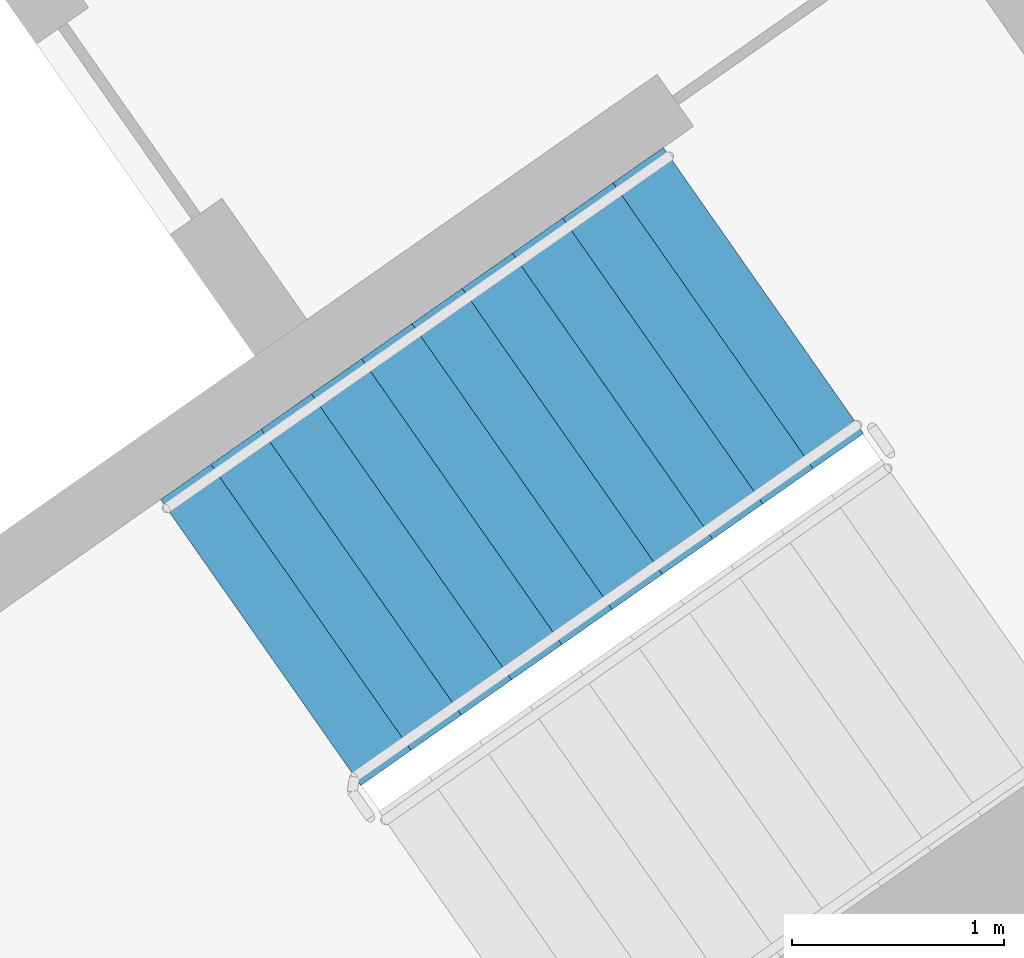
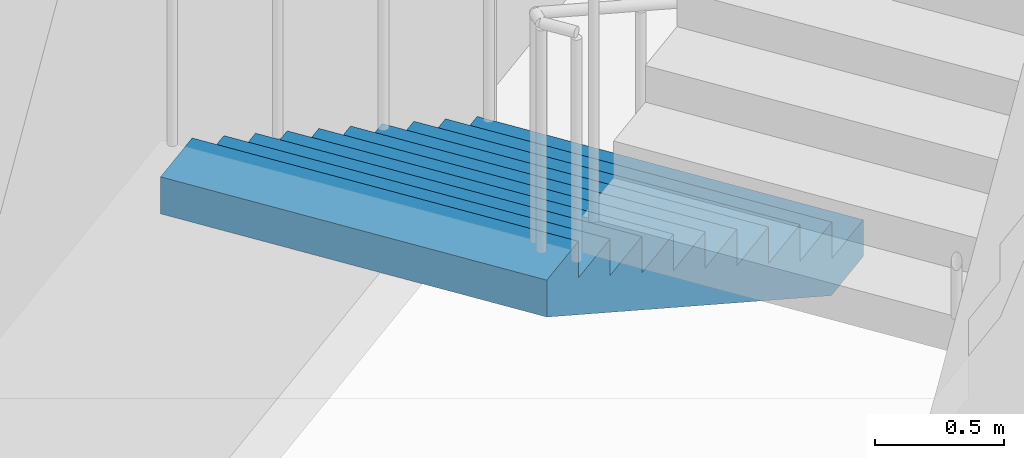
# One storey, part 13 of 27: 1 stair flight, 1 element without a shape of its own.
"""IFC4 building model written with IfcOpenShell, lengths in metres."""

from ifc_helpers import new_model, si_unit, direction, frame, origin, place, context, subcontext, project, spatial, faceted_brep, material, type_object, element, aggregate, save


model = new_model("IFC4")

# Units and contexts
model_context = context("Model", 3, precision=1e-05, world=origin(), true_north=direction((0.0, 1.0)))
body_context = subcontext(model_context, "Body", "Model", "MODEL_VIEW")
ifc_project = project(units=[si_unit("LENGTHUNIT", "METRE"), si_unit("AREAUNIT", "SQUARE_METRE"), si_unit("VOLUMEUNIT", "CUBIC_METRE"), si_unit("PLANEANGLEUNIT", "RADIAN"), si_unit("MASSUNIT", "GRAM", prefix="KILO")], contexts=[model_context])

# Site, building, storey
site_placement = place(None, origin())
site = spatial("IfcSite", under=ifc_project, at=site_placement, CompositionType="ELEMENT")
building_placement = place(site_placement, origin())
building = spatial("IfcBuilding", under=site, at=building_placement, Name="Qamariyya Broadcast Tower", CompositionType="ELEMENT")
storey_placement = place(building_placement, frame((0.0, 0.0, 164.5)))
storey = spatial("IfcBuildingStorey", under=building, at=storey_placement, Name="L38", CompositionType="ELEMENT", Elevation=164.5)

# Stair, stair flight
ifc_material = material(Name="Concrete C50/60", Category="concrete")
stair_type = type_object("IfcStairType", Name="Exit stair 22 risers of 173 mm", PredefinedType="HALF_TURN_STAIR", material=ifc_material)
stair_placement = place(storey_placement, origin())
stair = element("IfcStair", 1, at=stair_placement, inside=storey, type_object=stair_type, Name="L38 Stair E1", PredefinedType="HALF_TURN_STAIR")
stair_flight_type = type_object("IfcStairFlightType", Name="Exit stair flight 11 risers of 173 mm", PredefinedType="STRAIGHT", material=ifc_material)
stair_flight_placement = place(storey_placement, frame((46.036376953125, -55.508056640625, 0.0), z_axis=(0.0, 0.0, 1.0), x_axis=(-0.819152044289, -0.573576436351, 0.0)))
stair_flight = element("IfcStairFlight", 2, at=stair_flight_placement, type_object=stair_flight_type, Name="ST-E1 flight 1", NumberOfRisers=11, NumberOfTreads=10, PredefinedType="STRAIGHT", RiserHeight=0.172727273, TreadLength=0.29, context=body_context, shape_type="Brep", body=[
    faceted_brep([(0.0, 0.824951171875, 0.0), (0.0, 0.824951171875, 0.172607421875), (0.2900390625, 0.824951171875, 0.172607421875), (0.2900390625, 0.824951171875, 0.345458984375), (0.580078125, 0.824951171875, 0.345458984375), (0.580078125, 0.824951171875, 0.51806640625), (0.8701171875, 0.824951171875, 0.51806640625), (0.8701171875, 0.824951171875, 0.69091796875), (1.159912109375, 0.824951171875, 0.69091796875), (1.159912109375, 0.824951171875, 0.863525390625), (1.449951171875, 0.824951171875, 0.863525390625), (1.449951171875, 0.824951171875, 1.036376953125), (1.739990234375, 0.824951171875, 1.036376953125), (1.739990234375, 0.824951171875, 1.208984375), (2.030029296875, 0.824951171875, 1.208984375), (2.030029296875, 0.824951171875, 1.3818359375), (2.320068359375, 0.824951171875, 1.3818359375), (2.320068359375, 0.824951171875, 1.554443359375), (2.610107421875, 0.824951171875, 1.554443359375), (2.610107421875, 0.824951171875, 1.727294921875), (2.89990234375, 0.824951171875, 1.727294921875), (2.89990234375, 0.824951171875, 1.552734375), (0.29296875, 0.824951171875, 0.0), (0.29296875, -0.824951171875, 0.0), (2.89990234375, -0.824951171875, 1.552734375), (2.89990234375, -0.824951171875, 1.727294921875), (2.610107421875, -0.824951171875, 1.727294921875), (2.610107421875, -0.824951171875, 1.554443359375), (2.320068359375, -0.824951171875, 1.554443359375), (2.320068359375, -0.824951171875, 1.3818359375), (2.030029296875, -0.824951171875, 1.3818359375), (2.030029296875, -0.824951171875, 1.208984375), (1.739990234375, -0.824951171875, 1.208984375), (1.739990234375, -0.824951171875, 1.036376953125), (1.449951171875, -0.824951171875, 1.036376953125), (1.449951171875, -0.824951171875, 0.863525390625), (1.159912109375, -0.824951171875, 0.863525390625), (1.159912109375, -0.824951171875, 0.69091796875), (0.8701171875, -0.824951171875, 0.69091796875), (0.8701171875, -0.824951171875, 0.51806640625), (0.580078125, -0.824951171875, 0.51806640625), (0.580078125, -0.824951171875, 0.345458984375), (0.2900390625, -0.824951171875, 0.345458984375), (0.2900390625, -0.824951171875, 0.172607421875), (0.0, -0.824951171875, 0.172607421875), (0.0, -0.824951171875, 0.0), (0.0, 0.10009765625, 0.0), (0.0, 0.086669921875, 0.0), (0.0, 0.0732421875, 0.0), (0.0, 0.06005859375, 0.0), (0.0, 0.046630859375, 0.0), (0.0, 0.033447265625, 0.0), (0.0, 0.02001953125, 0.0), (0.0, 0.006591796875, 0.0), (0.0, -0.006591796875, 0.0), (0.0, -0.02001953125, 0.0), (0.0, -0.033447265625, 0.0), (0.0, -0.046630859375, 0.0), (0.0, -0.06005859375, 0.0), (0.0, -0.0732421875, 0.0), (0.0, -0.086669921875, 0.0), (0.0, -0.10009765625, 0.0), (0.0, -0.10009765625, 0.172607421875), (0.0, -0.086669921875, 0.172607421875), (0.0, -0.0732421875, 0.172607421875), (0.0, -0.06005859375, 0.172607421875), (0.0, -0.046630859375, 0.172607421875), (0.0, -0.033447265625, 0.172607421875), (0.0, -0.02001953125, 0.172607421875), (0.0, -0.006591796875, 0.172607421875), (0.0, 0.006591796875, 0.172607421875), (0.0, 0.02001953125, 0.172607421875), (0.0, 0.033447265625, 0.172607421875), (0.0, 0.046630859375, 0.172607421875), (0.0, 0.06005859375, 0.172607421875), (0.0, 0.0732421875, 0.172607421875), (0.0, 0.086669921875, 0.172607421875), (0.0, 0.10009765625, 0.172607421875), (0.2900390625, -0.10009765625, 0.172607421875), (0.2900390625, -0.086669921875, 0.172607421875), (0.2900390625, -0.0732421875, 0.172607421875), (0.2900390625, -0.06005859375, 0.172607421875), (0.2900390625, -0.046630859375, 0.172607421875), (0.2900390625, -0.033447265625, 0.172607421875), (0.2900390625, -0.02001953125, 0.172607421875), (0.2900390625, -0.006591796875, 0.172607421875), (0.2900390625, 0.006591796875, 0.172607421875), (0.2900390625, 0.02001953125, 0.172607421875), (0.2900390625, 0.033447265625, 0.172607421875), (0.2900390625, 0.046630859375, 0.172607421875), (0.2900390625, 0.06005859375, 0.172607421875), (0.2900390625, 0.0732421875, 0.172607421875), (0.2900390625, 0.086669921875, 0.172607421875), (0.2900390625, 0.10009765625, 0.172607421875), (0.2900390625, -0.10009765625, 0.345458984375), (0.2900390625, -0.086669921875, 0.345458984375), (0.2900390625, -0.0732421875, 0.345458984375), (0.2900390625, -0.06005859375, 0.345458984375), (0.2900390625, -0.046630859375, 0.345458984375), (0.2900390625, -0.033447265625, 0.345458984375), (0.2900390625, -0.02001953125, 0.345458984375), (0.2900390625, -0.006591796875, 0.345458984375), (0.2900390625, 0.006591796875, 0.345458984375), (0.2900390625, 0.02001953125, 0.345458984375), (0.2900390625, 0.033447265625, 0.345458984375), (0.2900390625, 0.046630859375, 0.345458984375), (0.2900390625, 0.06005859375, 0.345458984375), (0.2900390625, 0.0732421875, 0.345458984375), (0.2900390625, 0.086669921875, 0.345458984375), (0.2900390625, 0.10009765625, 0.345458984375), (0.580078125, -0.10009765625, 0.345458984375), (0.580078125, -0.086669921875, 0.345458984375), (0.580078125, -0.0732421875, 0.345458984375), (0.580078125, -0.06005859375, 0.345458984375), (0.580078125, -0.046630859375, 0.345458984375), (0.580078125, -0.033447265625, 0.345458984375), (0.580078125, -0.02001953125, 0.345458984375), (0.580078125, -0.006591796875, 0.345458984375), (0.580078125, 0.006591796875, 0.345458984375), (0.580078125, 0.02001953125, 0.345458984375), (0.580078125, 0.033447265625, 0.345458984375), (0.580078125, 0.046630859375, 0.345458984375), (0.580078125, 0.06005859375, 0.345458984375), (0.580078125, 0.0732421875, 0.345458984375), (0.580078125, 0.086669921875, 0.345458984375), (0.580078125, 0.10009765625, 0.345458984375), (0.580078125, -0.10009765625, 0.51806640625), (0.580078125, -0.086669921875, 0.51806640625), (0.580078125, -0.0732421875, 0.51806640625), (0.580078125, -0.06005859375, 0.51806640625), (0.580078125, -0.046630859375, 0.51806640625), (0.580078125, -0.033447265625, 0.51806640625), (0.580078125, -0.02001953125, 0.51806640625), (0.580078125, -0.006591796875, 0.51806640625), (0.580078125, 0.006591796875, 0.51806640625), (0.580078125, 0.02001953125, 0.51806640625), (0.580078125, 0.033447265625, 0.51806640625), (0.580078125, 0.046630859375, 0.51806640625), (0.580078125, 0.06005859375, 0.51806640625), (0.580078125, 0.0732421875, 0.51806640625), (0.580078125, 0.086669921875, 0.51806640625), (0.580078125, 0.10009765625, 0.51806640625), (0.8701171875, -0.10009765625, 0.51806640625), (0.8701171875, -0.086669921875, 0.51806640625), (0.8701171875, -0.0732421875, 0.51806640625), (0.8701171875, -0.06005859375, 0.51806640625), (0.8701171875, -0.046630859375, 0.51806640625), (0.8701171875, -0.033447265625, 0.51806640625), (0.8701171875, -0.02001953125, 0.51806640625), (0.8701171875, -0.006591796875, 0.51806640625), (0.8701171875, 0.006591796875, 0.51806640625), (0.8701171875, 0.02001953125, 0.51806640625), (0.8701171875, 0.033447265625, 0.51806640625), (0.8701171875, 0.046630859375, 0.51806640625), (0.8701171875, 0.06005859375, 0.51806640625), (0.8701171875, 0.0732421875, 0.51806640625), (0.8701171875, 0.086669921875, 0.51806640625), (0.8701171875, 0.10009765625, 0.51806640625), (0.8701171875, -0.10009765625, 0.69091796875), (0.8701171875, -0.086669921875, 0.69091796875), (0.8701171875, -0.0732421875, 0.69091796875), (0.8701171875, -0.06005859375, 0.69091796875), (0.8701171875, -0.046630859375, 0.69091796875), (0.8701171875, -0.033447265625, 0.69091796875), (0.8701171875, -0.02001953125, 0.69091796875), (0.8701171875, -0.006591796875, 0.69091796875), (0.8701171875, 0.006591796875, 0.69091796875), (0.8701171875, 0.02001953125, 0.69091796875), (0.8701171875, 0.033447265625, 0.69091796875), (0.8701171875, 0.046630859375, 0.69091796875), (0.8701171875, 0.06005859375, 0.69091796875), (0.8701171875, 0.0732421875, 0.69091796875), (0.8701171875, 0.086669921875, 0.69091796875), (0.8701171875, 0.10009765625, 0.69091796875), (1.159912109375, -0.10009765625, 0.69091796875), (1.159912109375, -0.086669921875, 0.69091796875), (1.159912109375, -0.0732421875, 0.69091796875), (1.159912109375, -0.06005859375, 0.69091796875), (1.159912109375, -0.046630859375, 0.69091796875), (1.159912109375, -0.033447265625, 0.69091796875), (1.159912109375, -0.02001953125, 0.69091796875), (1.159912109375, -0.006591796875, 0.69091796875), (1.159912109375, 0.006591796875, 0.69091796875), (1.159912109375, 0.02001953125, 0.69091796875), (1.159912109375, 0.033447265625, 0.69091796875), (1.159912109375, 0.046630859375, 0.69091796875), (1.159912109375, 0.06005859375, 0.69091796875), (1.159912109375, 0.0732421875, 0.69091796875), (1.159912109375, 0.086669921875, 0.69091796875), (1.159912109375, 0.10009765625, 0.69091796875), (1.159912109375, -0.10009765625, 0.863525390625), (1.159912109375, -0.086669921875, 0.863525390625), (1.159912109375, -0.0732421875, 0.863525390625), (1.159912109375, -0.06005859375, 0.863525390625), (1.159912109375, -0.046630859375, 0.863525390625), (1.159912109375, -0.033447265625, 0.863525390625), (1.159912109375, -0.02001953125, 0.863525390625), (1.159912109375, -0.006591796875, 0.863525390625), (1.159912109375, 0.006591796875, 0.863525390625), (1.159912109375, 0.02001953125, 0.863525390625), (1.159912109375, 0.033447265625, 0.863525390625), (1.159912109375, 0.046630859375, 0.863525390625), (1.159912109375, 0.06005859375, 0.863525390625), (1.159912109375, 0.0732421875, 0.863525390625), (1.159912109375, 0.086669921875, 0.863525390625), (1.159912109375, 0.10009765625, 0.863525390625), (1.449951171875, -0.10009765625, 0.863525390625), (1.449951171875, -0.086669921875, 0.863525390625), (1.449951171875, -0.0732421875, 0.863525390625), (1.449951171875, -0.06005859375, 0.863525390625), (1.449951171875, -0.046630859375, 0.863525390625), (1.449951171875, -0.033447265625, 0.863525390625), (1.449951171875, -0.02001953125, 0.863525390625), (1.449951171875, -0.006591796875, 0.863525390625), (1.449951171875, 0.006591796875, 0.863525390625), (1.449951171875, 0.02001953125, 0.863525390625), (1.449951171875, 0.033447265625, 0.863525390625), (1.449951171875, 0.046630859375, 0.863525390625), (1.449951171875, 0.06005859375, 0.863525390625), (1.449951171875, 0.0732421875, 0.863525390625), (1.449951171875, 0.086669921875, 0.863525390625), (1.449951171875, 0.10009765625, 0.863525390625), (1.449951171875, -0.10009765625, 1.036376953125), (1.449951171875, -0.086669921875, 1.036376953125), (1.449951171875, -0.0732421875, 1.036376953125), (1.449951171875, -0.06005859375, 1.036376953125), (1.449951171875, -0.046630859375, 1.036376953125), (1.449951171875, -0.033447265625, 1.036376953125), (1.449951171875, -0.02001953125, 1.036376953125), (1.449951171875, -0.006591796875, 1.036376953125), (1.449951171875, 0.006591796875, 1.036376953125), (1.449951171875, 0.02001953125, 1.036376953125), (1.449951171875, 0.033447265625, 1.036376953125), (1.449951171875, 0.046630859375, 1.036376953125), (1.449951171875, 0.06005859375, 1.036376953125), (1.449951171875, 0.0732421875, 1.036376953125), (1.449951171875, 0.086669921875, 1.036376953125), (1.449951171875, 0.10009765625, 1.036376953125), (1.739990234375, -0.10009765625, 1.036376953125), (1.739990234375, -0.086669921875, 1.036376953125), (1.739990234375, -0.0732421875, 1.036376953125), (1.739990234375, -0.06005859375, 1.036376953125), (1.739990234375, -0.046630859375, 1.036376953125), (1.739990234375, -0.033447265625, 1.036376953125), (1.739990234375, -0.02001953125, 1.036376953125), (1.739990234375, -0.006591796875, 1.036376953125), (1.739990234375, 0.006591796875, 1.036376953125), (1.739990234375, 0.02001953125, 1.036376953125), (1.739990234375, 0.033447265625, 1.036376953125), (1.739990234375, 0.046630859375, 1.036376953125), (1.739990234375, 0.06005859375, 1.036376953125), (1.739990234375, 0.0732421875, 1.036376953125), (1.739990234375, 0.086669921875, 1.036376953125), (1.739990234375, 0.10009765625, 1.036376953125), (1.739990234375, -0.10009765625, 1.208984375), (1.739990234375, -0.086669921875, 1.208984375), (1.739990234375, -0.0732421875, 1.208984375), (1.739990234375, -0.06005859375, 1.208984375), (1.739990234375, -0.046630859375, 1.208984375), (1.739990234375, -0.033447265625, 1.208984375), (1.739990234375, -0.02001953125, 1.208984375), (1.739990234375, -0.006591796875, 1.208984375), (1.739990234375, 0.006591796875, 1.208984375), (1.739990234375, 0.02001953125, 1.208984375), (1.739990234375, 0.033447265625, 1.208984375), (1.739990234375, 0.046630859375, 1.208984375), (1.739990234375, 0.06005859375, 1.208984375), (1.739990234375, 0.0732421875, 1.208984375), (1.739990234375, 0.086669921875, 1.208984375), (1.739990234375, 0.10009765625, 1.208984375), (2.030029296875, -0.10009765625, 1.208984375), (2.030029296875, -0.086669921875, 1.208984375), (2.030029296875, -0.0732421875, 1.208984375), (2.030029296875, -0.06005859375, 1.208984375), (2.030029296875, -0.046630859375, 1.208984375), (2.030029296875, -0.033447265625, 1.208984375), (2.030029296875, -0.02001953125, 1.208984375), (2.030029296875, -0.006591796875, 1.208984375), (2.030029296875, 0.006591796875, 1.208984375), (2.030029296875, 0.02001953125, 1.208984375), (2.030029296875, 0.033447265625, 1.208984375), (2.030029296875, 0.046630859375, 1.208984375), (2.030029296875, 0.06005859375, 1.208984375), (2.030029296875, 0.0732421875, 1.208984375), (2.030029296875, 0.086669921875, 1.208984375), (2.030029296875, 0.10009765625, 1.208984375), (2.030029296875, -0.10009765625, 1.3818359375), (2.030029296875, -0.086669921875, 1.3818359375), (2.030029296875, -0.0732421875, 1.3818359375), (2.030029296875, -0.06005859375, 1.3818359375), (2.030029296875, -0.046630859375, 1.3818359375), (2.030029296875, -0.033447265625, 1.3818359375), (2.030029296875, -0.02001953125, 1.3818359375), (2.030029296875, -0.006591796875, 1.3818359375), (2.030029296875, 0.006591796875, 1.3818359375), (2.030029296875, 0.02001953125, 1.3818359375), (2.030029296875, 0.033447265625, 1.3818359375), (2.030029296875, 0.046630859375, 1.3818359375), (2.030029296875, 0.06005859375, 1.3818359375), (2.030029296875, 0.0732421875, 1.3818359375), (2.030029296875, 0.086669921875, 1.3818359375), (2.030029296875, 0.10009765625, 1.3818359375), (2.320068359375, -0.10009765625, 1.3818359375), (2.320068359375, -0.086669921875, 1.3818359375), (2.320068359375, -0.0732421875, 1.3818359375), (2.320068359375, -0.06005859375, 1.3818359375), (2.320068359375, -0.046630859375, 1.3818359375), (2.320068359375, -0.033447265625, 1.3818359375), (2.320068359375, -0.02001953125, 1.3818359375), (2.320068359375, -0.006591796875, 1.3818359375), (2.320068359375, 0.006591796875, 1.3818359375), (2.320068359375, 0.02001953125, 1.3818359375), (2.320068359375, 0.033447265625, 1.3818359375), (2.320068359375, 0.046630859375, 1.3818359375), (2.320068359375, 0.06005859375, 1.3818359375), (2.320068359375, 0.0732421875, 1.3818359375), (2.320068359375, 0.086669921875, 1.3818359375), (2.320068359375, 0.10009765625, 1.3818359375), (2.320068359375, -0.10009765625, 1.554443359375), (2.320068359375, -0.086669921875, 1.554443359375), (2.320068359375, -0.0732421875, 1.554443359375), (2.320068359375, -0.06005859375, 1.554443359375), (2.320068359375, -0.046630859375, 1.554443359375), (2.320068359375, -0.033447265625, 1.554443359375), (2.320068359375, -0.02001953125, 1.554443359375), (2.320068359375, -0.006591796875, 1.554443359375), (2.320068359375, 0.006591796875, 1.554443359375), (2.320068359375, 0.02001953125, 1.554443359375), (2.320068359375, 0.033447265625, 1.554443359375), (2.320068359375, 0.046630859375, 1.554443359375), (2.320068359375, 0.06005859375, 1.554443359375), (2.320068359375, 0.0732421875, 1.554443359375), (2.320068359375, 0.086669921875, 1.554443359375), (2.320068359375, 0.10009765625, 1.554443359375), (2.610107421875, -0.10009765625, 1.554443359375), (2.610107421875, -0.086669921875, 1.554443359375), (2.610107421875, -0.0732421875, 1.554443359375), (2.610107421875, -0.06005859375, 1.554443359375), (2.610107421875, -0.046630859375, 1.554443359375), (2.610107421875, -0.033447265625, 1.554443359375), (2.610107421875, -0.02001953125, 1.554443359375), (2.610107421875, -0.006591796875, 1.554443359375), (2.610107421875, 0.006591796875, 1.554443359375), (2.610107421875, 0.02001953125, 1.554443359375), (2.610107421875, 0.033447265625, 1.554443359375), (2.610107421875, 0.046630859375, 1.554443359375), (2.610107421875, 0.06005859375, 1.554443359375), (2.610107421875, 0.0732421875, 1.554443359375), (2.610107421875, 0.086669921875, 1.554443359375), (2.610107421875, 0.10009765625, 1.554443359375), (2.610107421875, -0.10009765625, 1.727294921875), (2.610107421875, -0.086669921875, 1.727294921875), (2.610107421875, -0.0732421875, 1.727294921875), (2.610107421875, -0.06005859375, 1.727294921875), (2.610107421875, -0.046630859375, 1.727294921875), (2.610107421875, -0.033447265625, 1.727294921875), (2.610107421875, -0.02001953125, 1.727294921875), (2.610107421875, -0.006591796875, 1.727294921875), (2.610107421875, 0.006591796875, 1.727294921875), (2.610107421875, 0.02001953125, 1.727294921875), (2.610107421875, 0.033447265625, 1.727294921875), (2.610107421875, 0.046630859375, 1.727294921875), (2.610107421875, 0.06005859375, 1.727294921875), (2.610107421875, 0.0732421875, 1.727294921875), (2.610107421875, 0.086669921875, 1.727294921875), (2.610107421875, 0.10009765625, 1.727294921875), (2.89990234375, -0.10009765625, 1.727294921875), (2.89990234375, -0.086669921875, 1.727294921875), (2.89990234375, -0.0732421875, 1.727294921875), (2.89990234375, -0.06005859375, 1.727294921875), (2.89990234375, -0.046630859375, 1.727294921875), (2.89990234375, -0.033447265625, 1.727294921875), (2.89990234375, -0.02001953125, 1.727294921875), (2.89990234375, -0.006591796875, 1.727294921875), (2.89990234375, 0.006591796875, 1.727294921875), (2.89990234375, 0.02001953125, 1.727294921875), (2.89990234375, 0.033447265625, 1.727294921875), (2.89990234375, 0.046630859375, 1.727294921875), (2.89990234375, 0.06005859375, 1.727294921875), (2.89990234375, 0.0732421875, 1.727294921875), (2.89990234375, 0.086669921875, 1.727294921875), (2.89990234375, 0.10009765625, 1.727294921875), (2.89990234375, -0.10009765625, 1.552734375), (2.89990234375, -0.086669921875, 1.552734375), (2.89990234375, -0.0732421875, 1.552734375), (2.89990234375, -0.06005859375, 1.552734375), (2.89990234375, -0.046630859375, 1.552734375), (2.89990234375, -0.033447265625, 1.552734375), (2.89990234375, -0.02001953125, 1.552734375), (2.89990234375, -0.006591796875, 1.552734375), (2.89990234375, 0.006591796875, 1.552734375), (2.89990234375, 0.02001953125, 1.552734375), (2.89990234375, 0.033447265625, 1.552734375), (2.89990234375, 0.046630859375, 1.552734375), (2.89990234375, 0.06005859375, 1.552734375), (2.89990234375, 0.0732421875, 1.552734375), (2.89990234375, 0.086669921875, 1.552734375), (2.89990234375, 0.10009765625, 1.552734375), (0.29296875, -0.10009765625, 0.0), (0.29296875, -0.086669921875, 0.0), (0.29296875, -0.0732421875, 0.0), (0.29296875, -0.06005859375, 0.0), (0.29296875, -0.046630859375, 0.0), (0.29296875, -0.033447265625, 0.0), (0.29296875, -0.02001953125, 0.0), (0.29296875, -0.006591796875, 0.0), (0.29296875, 0.006591796875, 0.0), (0.29296875, 0.02001953125, 0.0), (0.29296875, 0.033447265625, 0.0), (0.29296875, 0.046630859375, 0.0), (0.29296875, 0.06005859375, 0.0), (0.29296875, 0.0732421875, 0.0), (0.29296875, 0.086669921875, 0.0), (0.29296875, 0.10009765625, 0.0)], [[[0, 1, 2, 3, 4, 5, 6, 7, 8, 9, 10, 11, 12, 13, 14, 15, 16, 17, 18, 19, 20, 21, 22]], [[23, 24, 25, 26, 27, 28, 29, 30, 31, 32, 33, 34, 35, 36, 37, 38, 39, 40, 41, 42, 43, 44, 45]], [[0, 46, 47, 48, 49, 50, 51, 52, 53, 54, 55, 56, 57, 58, 59, 60, 61, 45, 44, 62, 63, 64, 65, 66, 67, 68, 69, 70, 71, 72, 73, 74, 75, 76, 77, 1]], [[1, 77, 76, 75, 74, 73, 72, 71, 70, 69, 68, 67, 66, 65, 64, 63, 62, 44, 43, 78, 79, 80, 81, 82, 83, 84, 85, 86, 87, 88, 89, 90, 91, 92, 93, 2]], [[2, 93, 92, 91, 90, 89, 88, 87, 86, 85, 84, 83, 82, 81, 80, 79, 78, 43, 42, 94, 95, 96, 97, 98, 99, 100, 101, 102, 103, 104, 105, 106, 107, 108, 109, 3]], [[3, 109, 108, 107, 106, 105, 104, 103, 102, 101, 100, 99, 98, 97, 96, 95, 94, 42, 41, 110, 111, 112, 113, 114, 115, 116, 117, 118, 119, 120, 121, 122, 123, 124, 125, 4]], [[4, 125, 124, 123, 122, 121, 120, 119, 118, 117, 116, 115, 114, 113, 112, 111, 110, 41, 40, 126, 127, 128, 129, 130, 131, 132, 133, 134, 135, 136, 137, 138, 139, 140, 141, 5]], [[5, 141, 140, 139, 138, 137, 136, 135, 134, 133, 132, 131, 130, 129, 128, 127, 126, 40, 39, 142, 143, 144, 145, 146, 147, 148, 149, 150, 151, 152, 153, 154, 155, 156, 157, 6]], [[6, 157, 156, 155, 154, 153, 152, 151, 150, 149, 148, 147, 146, 145, 144, 143, 142, 39, 38, 158, 159, 160, 161, 162, 163, 164, 165, 166, 167, 168, 169, 170, 171, 172, 173, 7]], [[7, 173, 172, 171, 170, 169, 168, 167, 166, 165, 164, 163, 162, 161, 160, 159, 158, 38, 37, 174, 175, 176, 177, 178, 179, 180, 181, 182, 183, 184, 185, 186, 187, 188, 189, 8]], [[8, 189, 188, 187, 186, 185, 184, 183, 182, 181, 180, 179, 178, 177, 176, 175, 174, 37, 36, 190, 191, 192, 193, 194, 195, 196, 197, 198, 199, 200, 201, 202, 203, 204, 205, 9]], [[9, 205, 204, 203, 202, 201, 200, 199, 198, 197, 196, 195, 194, 193, 192, 191, 190, 36, 35, 206, 207, 208, 209, 210, 211, 212, 213, 214, 215, 216, 217, 218, 219, 220, 221, 10]], [[10, 221, 220, 219, 218, 217, 216, 215, 214, 213, 212, 211, 210, 209, 208, 207, 206, 35, 34, 222, 223, 224, 225, 226, 227, 228, 229, 230, 231, 232, 233, 234, 235, 236, 237, 11]], [[11, 237, 236, 235, 234, 233, 232, 231, 230, 229, 228, 227, 226, 225, 224, 223, 222, 34, 33, 238, 239, 240, 241, 242, 243, 244, 245, 246, 247, 248, 249, 250, 251, 252, 253, 12]], [[12, 253, 252, 251, 250, 249, 248, 247, 246, 245, 244, 243, 242, 241, 240, 239, 238, 33, 32, 254, 255, 256, 257, 258, 259, 260, 261, 262, 263, 264, 265, 266, 267, 268, 269, 13]], [[13, 269, 268, 267, 266, 265, 264, 263, 262, 261, 260, 259, 258, 257, 256, 255, 254, 32, 31, 270, 271, 272, 273, 274, 275, 276, 277, 278, 279, 280, 281, 282, 283, 284, 285, 14]], [[14, 285, 284, 283, 282, 281, 280, 279, 278, 277, 276, 275, 274, 273, 272, 271, 270, 31, 30, 286, 287, 288, 289, 290, 291, 292, 293, 294, 295, 296, 297, 298, 299, 300, 301, 15]], [[15, 301, 300, 299, 298, 297, 296, 295, 294, 293, 292, 291, 290, 289, 288, 287, 286, 30, 29, 302, 303, 304, 305, 306, 307, 308, 309, 310, 311, 312, 313, 314, 315, 316, 317, 16]], [[16, 317, 316, 315, 314, 313, 312, 311, 310, 309, 308, 307, 306, 305, 304, 303, 302, 29, 28, 318, 319, 320, 321, 322, 323, 324, 325, 326, 327, 328, 329, 330, 331, 332, 333, 17]], [[17, 333, 332, 331, 330, 329, 328, 327, 326, 325, 324, 323, 322, 321, 320, 319, 318, 28, 27, 334, 335, 336, 337, 338, 339, 340, 341, 342, 343, 344, 345, 346, 347, 348, 349, 18]], [[18, 349, 348, 347, 346, 345, 344, 343, 342, 341, 340, 339, 338, 337, 336, 335, 334, 27, 26, 350, 351, 352, 353, 354, 355, 356, 357, 358, 359, 360, 361, 362, 363, 364, 365, 19]], [[19, 365, 364, 363, 362, 361, 360, 359, 358, 357, 356, 355, 354, 353, 352, 351, 350, 26, 25, 366, 367, 368, 369, 370, 371, 372, 373, 374, 375, 376, 377, 378, 379, 380, 381, 20]], [[20, 381, 380, 379, 378, 377, 376, 375, 374, 373, 372, 371, 370, 369, 368, 367, 366, 25, 24, 382, 383, 384, 385, 386, 387, 388, 389, 390, 391, 392, 393, 394, 395, 396, 397, 21]], [[21, 397, 396, 395, 394, 393, 392, 391, 390, 389, 388, 387, 386, 385, 384, 383, 382, 24, 23, 398, 399, 400, 401, 402, 403, 404, 405, 406, 407, 408, 409, 410, 411, 412, 413, 22]], [[22, 413, 412, 411, 410, 409, 408, 407, 406, 405, 404, 403, 402, 401, 400, 399, 398, 23, 45, 61, 60, 59, 58, 57, 56, 55, 54, 53, 52, 51, 50, 49, 48, 47, 46, 0]]]),
])
aggregate(stair, [stair_flight])

save(model, "model.ifc")
